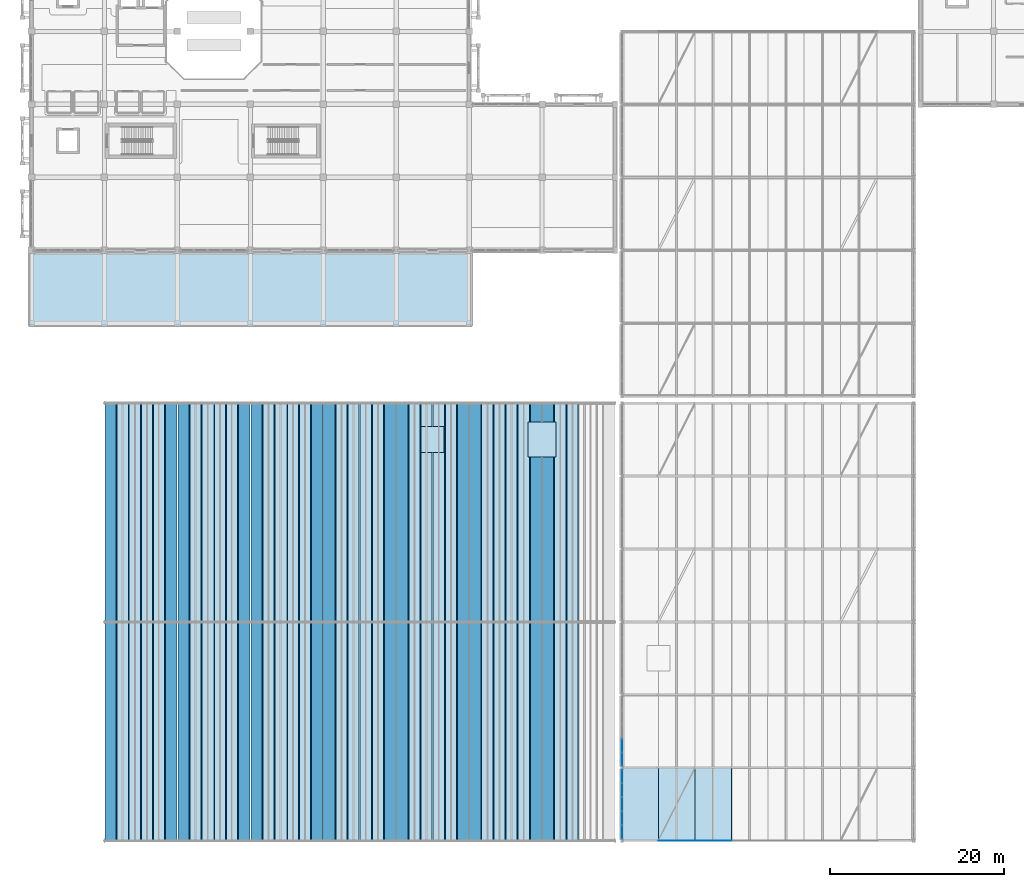
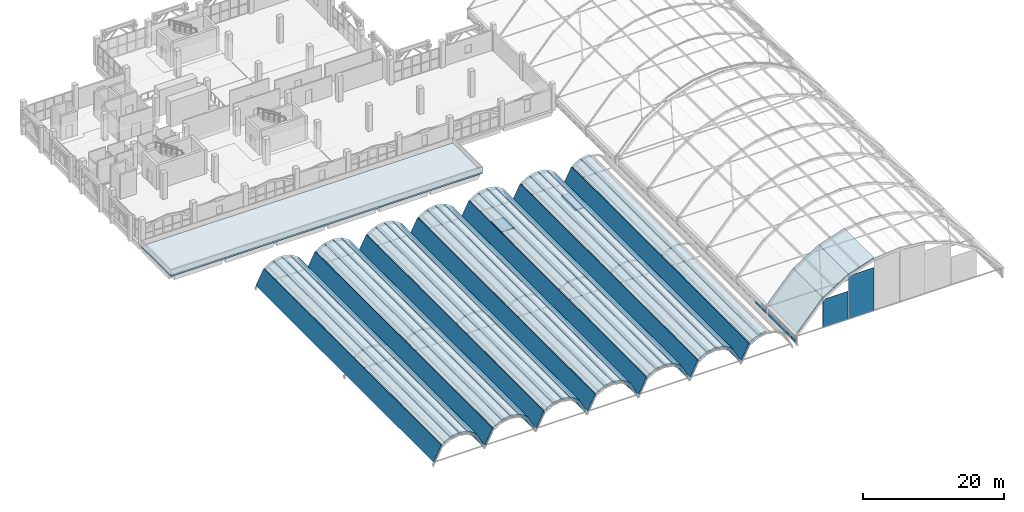
# One storey, part 87 of 114: 45 slabs, 15 plates, 2 elements without a shape of their own.
"""IFC4 building model written with IfcOpenShell, lengths in metres."""

from ifc_helpers import new_model, si_unit, direction, frame, origin, origin_2d, place, context, subcontext, project, spatial, polyline, rectangle, outline, extrude, material, layer, layer_set, type_object, element, aggregate, save


model = new_model("IFC4")

# Units and contexts
model_context = context("Model", 3, precision=1e-05, world=origin(), true_north=direction((0.0, 1.0)))
body_context = subcontext(model_context, "Body", "Model", "MODEL_VIEW")
ifc_project = project(units=[si_unit("LENGTHUNIT", "METRE"), si_unit("AREAUNIT", "SQUARE_METRE"), si_unit("VOLUMEUNIT", "CUBIC_METRE"), si_unit("PLANEANGLEUNIT", "RADIAN"), si_unit("MASSUNIT", "GRAM", prefix="KILO")], contexts=[model_context])

# Site, building, storey
site_placement = place(None, origin())
site = spatial("IfcSite", under=ifc_project, at=site_placement, CompositionType="ELEMENT")
building_placement = place(site_placement, origin())
building = spatial("IfcBuilding", under=site, at=building_placement, Name="Xazarin Passage Department Store", CompositionType="ELEMENT")
storey_placement = place(building_placement, frame((0.0, 0.0, 14.39990234375)))
storey = spatial("IfcBuildingStorey", under=building, at=storey_placement, Name="L03", CompositionType="ELEMENT", Elevation=14.39990234375)

# Curtain wall, plates
ifc_material_1 = material(Name="Bronze anodised aluminium", Category="aluminium")
ifc_layer_1 = layer(ifc_material_1, 0.159912109375)
ifc_layer_set_1 = layer_set([ifc_layer_1], Name="Bronze anodised aluminium")
curtain_wall_type = type_object("IfcCurtainWallType", Name="ARC-CW-ARC1", PredefinedType="NOTDEFINED", material=ifc_layer_set_1)
curtain_wall_1_placement = place(storey_placement, origin())
curtain_wall_1 = element("IfcCurtainWall", 1, at=curtain_wall_1_placement, inside=storey, type_object=curtain_wall_type, Name="L03 V2S Galleria Clerestory Curtain Wall 1W", PredefinedType="NOTDEFINED")
ifc_material_2 = material(Name="Low-E laminated safety glass", Category="glass")
ifc_layer_2 = layer(ifc_material_2, 0.028076171875)
ifc_layer_set_2 = layer_set([ifc_layer_2], Name="Low-E laminated safety glass")
plate_type_1 = type_object("IfcPlateType", Name="ARC-CWP-GLZ28", PredefinedType="CURTAIN_PANEL", material=ifc_layer_set_2)
plate_1_placement = place(storey_placement, frame((68.0, 0.984130859375, 0.065185546875), z_axis=(0.0, 0.0, 1.0), x_axis=(0.0, 1.0, 0.0)))
plate_1 = element("IfcPlate", 2, at=plate_1_placement, type_object=plate_type_1, Name="CW3 panel 1.1", PredefinedType="CURTAIN_PANEL", context=body_context, shape_type="SweptSolid", body=[
    extrude(rectangle(XDim=1.5185546875, YDim=0.028076171875, at=origin_2d()), origin(), (0.0, 0.0, 1.0), 0.5283203125),
])
plate_2_placement = place(storey_placement, frame((68.0, 0.984130859375, 0.658447265625), z_axis=(0.0, 0.0, 1.0), x_axis=(0.0, 1.0, 0.0)))
plate_2 = element("IfcPlate", 3, at=plate_2_placement, type_object=plate_type_1, Name="CW3 panel 1.2", PredefinedType="CURTAIN_PANEL", context=body_context, shape_type="SweptSolid", body=[
    extrude(rectangle(XDim=1.5185546875, YDim=0.028076171875, at=origin_2d()), origin(), (0.0, 0.0, 1.0), 0.5283203125),
])
plate_3_placement = place(storey_placement, frame((68.0, 2.583984375, 0.065185546875), z_axis=(0.0, 0.0, 1.0), x_axis=(0.0, 1.0, 0.0)))
plate_3 = element("IfcPlate", 4, at=plate_3_placement, type_object=plate_type_1, Name="CW3 panel 2.1", PredefinedType="CURTAIN_PANEL", context=body_context, shape_type="SweptSolid", body=[
    extrude(rectangle(XDim=1.551025390625, YDim=0.028076171875, at=origin_2d()), origin(), (0.0, 0.0, 1.0), 0.5283203125),
])
plate_4_placement = place(storey_placement, frame((68.0, 2.583984375, 0.658447265625), z_axis=(0.0, 0.0, 1.0), x_axis=(0.0, 1.0, 0.0)))
plate_4 = element("IfcPlate", 5, at=plate_4_placement, type_object=plate_type_1, Name="CW3 panel 2.2", PredefinedType="CURTAIN_PANEL", context=body_context, shape_type="SweptSolid", body=[
    extrude(rectangle(XDim=1.551025390625, YDim=0.028076171875, at=origin_2d()), origin(), (0.0, 0.0, 1.0), 0.5283203125),
])
plate_5_placement = place(storey_placement, frame((68.0, 4.199951171875, 0.065185546875), z_axis=(0.0, 0.0, 1.0), x_axis=(0.0, 1.0, 0.0)))
plate_5 = element("IfcPlate", 6, at=plate_5_placement, type_object=plate_type_1, Name="CW3 panel 3.1", PredefinedType="CURTAIN_PANEL", context=body_context, shape_type="SweptSolid", body=[
    extrude(rectangle(XDim=1.551025390625, YDim=0.028076171875, at=origin_2d()), origin(), (0.0, 0.0, 1.0), 0.5283203125),
])
plate_6_placement = place(storey_placement, frame((68.0, 4.199951171875, 0.658447265625), z_axis=(0.0, 0.0, 1.0), x_axis=(0.0, 1.0, 0.0)))
plate_6 = element("IfcPlate", 7, at=plate_6_placement, type_object=plate_type_1, Name="CW3 panel 3.2", PredefinedType="CURTAIN_PANEL", context=body_context, shape_type="SweptSolid", body=[
    extrude(rectangle(XDim=1.551025390625, YDim=0.028076171875, at=origin_2d()), origin(), (0.0, 0.0, 1.0), 0.5283203125),
])
plate_7_placement = place(storey_placement, frame((68.0, 5.81591796875, 0.065185546875), z_axis=(0.0, 0.0, 1.0), x_axis=(0.0, 1.0, 0.0)))
plate_7 = element("IfcPlate", 8, at=plate_7_placement, type_object=plate_type_1, Name="CW3 panel 4.1", PredefinedType="CURTAIN_PANEL", context=body_context, shape_type="SweptSolid", body=[
    extrude(rectangle(XDim=1.551025390625, YDim=0.028076171875, at=origin_2d()), origin(), (0.0, 0.0, 1.0), 0.5283203125),
])
plate_8_placement = place(storey_placement, frame((68.0, 5.81591796875, 0.658447265625), z_axis=(0.0, 0.0, 1.0), x_axis=(0.0, 1.0, 0.0)))
plate_8 = element("IfcPlate", 9, at=plate_8_placement, type_object=plate_type_1, Name="CW3 panel 4.2", PredefinedType="CURTAIN_PANEL", context=body_context, shape_type="SweptSolid", body=[
    extrude(rectangle(XDim=1.551025390625, YDim=0.028076171875, at=origin_2d()), origin(), (0.0, 0.0, 1.0), 0.5283203125),
])
plate_9_placement = place(storey_placement, frame((68.0, 7.415771484375, 0.065185546875), z_axis=(0.0, 0.0, 1.0), x_axis=(0.0, 1.0, 0.0)))
plate_9 = element("IfcPlate", 10, at=plate_9_placement, type_object=plate_type_1, Name="CW3 panel 5.1", PredefinedType="CURTAIN_PANEL", context=body_context, shape_type="SweptSolid", body=[
    extrude(rectangle(XDim=1.5185546875, YDim=0.028076171875, at=origin_2d()), origin(), (0.0, 0.0, 1.0), 0.5283203125),
])
plate_10_placement = place(storey_placement, frame((68.0, 7.415771484375, 0.658447265625), z_axis=(0.0, 0.0, 1.0), x_axis=(0.0, 1.0, 0.0)))
plate_10 = element("IfcPlate", 11, at=plate_10_placement, type_object=plate_type_1, Name="CW3 panel 5.2", PredefinedType="CURTAIN_PANEL", context=body_context, shape_type="SweptSolid", body=[
    extrude(rectangle(XDim=1.5185546875, YDim=0.028076171875, at=origin_2d()), origin(), (0.0, 0.0, 1.0), 0.5283203125),
])
aggregate(curtain_wall_1, [plate_1, plate_2, plate_3, plate_4, plate_5, plate_6, plate_7, plate_8, plate_9, plate_10])

curtain_wall_2_placement = place(storey_placement, origin())
curtain_wall_2 = element("IfcCurtainWall", 12, at=curtain_wall_2_placement, inside=storey, type_object=curtain_wall_type, Name="L03 V2S Galleria Clerestory Curtain Wall 2W", PredefinedType="NOTDEFINED")
plate_11_placement = place(storey_placement, frame((68.0, 9.38427734375, 0.065185546875), z_axis=(0.0, 0.0, 1.0), x_axis=(0.0, 1.0, 0.0)))
plate_11 = element("IfcPlate", 13, at=plate_11_placement, type_object=plate_type_1, Name="CW3 panel 1.1", PredefinedType="CURTAIN_PANEL", context=body_context, shape_type="SweptSolid", body=[
    extrude(rectangle(XDim=1.5185546875, YDim=0.028076171875, at=origin_2d()), origin(), (0.0, 0.0, 1.0), 0.5283203125),
])
plate_12_placement = place(storey_placement, frame((68.0, 9.38427734375, 0.658447265625), z_axis=(0.0, 0.0, 1.0), x_axis=(0.0, 1.0, 0.0)))
plate_12 = element("IfcPlate", 14, at=plate_12_placement, type_object=plate_type_1, Name="CW3 panel 1.2", PredefinedType="CURTAIN_PANEL", context=body_context, shape_type="SweptSolid", body=[
    extrude(rectangle(XDim=1.5185546875, YDim=0.028076171875, at=origin_2d()), origin(), (0.0, 0.0, 1.0), 0.5283203125),
])
plate_13_placement = place(storey_placement, frame((68.0, 10.98388671875, 0.065185546875), z_axis=(0.0, 0.0, 1.0), x_axis=(0.0, 1.0, 0.0)))
plate_13 = element("IfcPlate", 15, at=plate_13_placement, type_object=plate_type_1, Name="CW3 panel 2.1", PredefinedType="CURTAIN_PANEL", context=body_context, shape_type="SweptSolid", body=[
    extrude(rectangle(XDim=1.551025390625, YDim=0.028076171875, at=origin_2d()), origin(), (0.0, 0.0, 1.0), 0.5283203125),
])
aggregate(curtain_wall_2, [plate_11, plate_12, plate_13])

# Plates
ifc_layer_3 = layer(ifc_material_2, 0.028076171875)
ifc_layer_set_3 = layer_set([ifc_layer_3], Name="Low-E laminated safety glass")
plate_type_2 = type_object("IfcPlateType", Name="ARC-PLT-VGLZ28", PredefinedType="SHEET", material=ifc_layer_set_3)
plate_14_placement = place(storey_placement, frame((74.300048828125, 0.0, 1.491943359375), z_axis=(0.0, 0.0, 1.0), x_axis=(1.0, 0.0, 0.0)))
element("IfcPlate", 16, at=plate_14_placement, inside=storey, type_object=plate_type_2, Name="V2S Glazed Gable Tympanum Panel 1.2", PredefinedType="SHEET", context=body_context, shape_type="SweptSolid", body=[
    extrude(rectangle(XDim=4.159912109375, YDim=0.031982421875, at=origin_2d()), origin(), (0.0, 0.0, 1.0), 4.8798828125),
])
plate_15_placement = place(storey_placement, frame((78.5, 0.0, 1.49169921875), z_axis=(0.0, 0.0, 1.0), x_axis=(1.0, 0.0, 0.0)))
element("IfcPlate", 17, at=plate_15_placement, inside=storey, type_object=plate_type_2, Name="V2S Glazed Gable Tympanum Panel 1.3", PredefinedType="SHEET", context=body_context, shape_type="SweptSolid", body=[
    extrude(rectangle(XDim=4.159912109375, YDim=0.031982421875, at=origin_2d()), origin(), (0.0, 0.0, 1.0), 7.4990234375),
])

# Slabs
ifc_material_3 = material(Name="Concrete C35/45", Category="concrete")
ifc_layer_4 = layer(ifc_material_3, 0.2099609375)
ifc_layer_set_4 = layer_set([ifc_layer_4], Name="Concrete C35/45")
slab_type_1 = type_object("IfcSlabType", Name="STR-SLB-OVR210", PredefinedType="ROOF", material=ifc_layer_set_4)
slab_1_placement = place(storey_placement, frame((0.0, 0.0, 0.150146484375)))
element("IfcSlab", 18, at=slab_1_placement, inside=storey, type_object=slab_type_1, Name="Lift PL4 Overrun Roof Slab", PredefinedType="ROOF", context=body_context, shape_type="SweptSolid", body=[
    extrude(outline(polyline([(44.8701171875, 44.719970703125), (47.530029296875, 44.719970703125), (47.530029296875, 47.679931640625), (44.8701171875, 47.679931640625), (44.8701171875, 44.719970703125)])), origin(), (0.0, 0.0, 1.0), 0.2099609375),
])
slab_2_placement = place(storey_placement, frame((0.0, 0.0, 0.150146484375)))
element("IfcSlab", 19, at=slab_2_placement, inside=storey, type_object=slab_type_1, Name="Lift GL3 Overrun Roof Slab", PredefinedType="ROOF", context=body_context, shape_type="SweptSolid", body=[
    extrude(outline(polyline([(57.169921875, 44.169921875), (60.429931640625, 44.169921875), (60.429931640625, 48.22998046875), (57.169921875, 48.22998046875), (57.169921875, 44.169921875)])), origin(), (0.0, 0.0, 1.0), 0.2099609375),
])
ifc_layer_5 = layer(ifc_material_3, 0.260009765625)
ifc_layer_set_5 = layer_set([ifc_layer_5], Name="Concrete C35/45")
slab_type_2 = type_object("IfcSlabType", Name="STR-SLB-RF260", PredefinedType="ROOF", material=ifc_layer_set_5)
slab_3_placement = place(storey_placement, frame((0.0, 0.0, -0.260009765625)))
element("IfcSlab", 20, at=slab_3_placement, inside=storey, type_object=slab_type_2, Name="L03 V1 Setback Roof Slab 1", PredefinedType="ROOF", context=body_context, shape_type="SweptSolid", body=[
    extrude(outline(polyline([(50.699951171875, 67.64990234375), (-0.300048828125, 67.64990234375), (-0.300048828125, 59.300048828125), (50.699951171875, 59.300048828125), (50.699951171875, 67.64990234375)])), origin(), (0.0, 0.0, 1.0), 0.260009765625),
])
ifc_material_4 = material(Name="Concrete C40/50", Category="concrete")
ifc_layer_6 = layer(ifc_material_4, 0.239990234375)
ifc_layer_set_6 = layer_set([ifc_layer_6], Name="Concrete C40/50")
slab_type_3 = type_object("IfcSlabType", Name="STR-SLB-SHL240", PredefinedType="ROOF", material=ifc_layer_set_6)
slab_4_placement = place(storey_placement, frame((68.0, 0.0, 2.08251953125), z_axis=(-0.74425861336, 0.0, 0.667891545417), x_axis=(0.667891545417, 0.0, 0.74425861336)))
element("IfcSlab", 21, at=slab_4_placement, inside=storey, type_object=slab_type_3, Name="V2S Vaulted Roof Deck Facet 1.1", PredefinedType="ROOF", context=body_context, shape_type="SweptSolid", body=[
    extrude(outline(polyline([(0.0, 0.0), (6.28837301609353, 0.0), (6.28837301609353, 8.39990234375), (0.0, 8.39990234375), (0.0, 0.0)])), origin(), (0.0, 0.0, -1.0), 0.159912109375),
])
slab_5_placement = place(storey_placement, frame((72.199951171875, 0.0, 6.72265625), z_axis=(-0.529080815848, 0.0, 0.848571440894), x_axis=(0.848571440894, 0.0, 0.529080815848)))
element("IfcSlab", 22, at=slab_5_placement, inside=storey, type_object=slab_type_3, Name="V2S Vaulted Roof Deck Facet 1.2", PredefinedType="ROOF", context=body_context, shape_type="SweptSolid", body=[
    extrude(outline(polyline([(0.0, 0.0), (4.949437336057661, 0.0), (4.949437336057661, 8.39990234375), (0.0, 8.39990234375), (0.0, 0.0)])), origin(), (0.0, 0.0, -1.0), 0.159912109375),
])
slab_6_placement = place(storey_placement, frame((76.39990234375, 0.0, 9.3212890625), z_axis=(-0.316938846257, 0.0, 0.948445975126), x_axis=(0.948445975126, 0.0, 0.316938846257)))
element("IfcSlab", 23, at=slab_6_placement, inside=storey, type_object=slab_type_3, Name="V2S Vaulted Roof Deck Facet 1.3", PredefinedType="ROOF", context=body_context, shape_type="SweptSolid", body=[
    extrude(outline(polyline([(0.0, 0.0), (4.4285024373057595, 0.0), (4.4285024373057595, 8.39990234375), (0.0, 8.39990234375), (0.0, 0.0)])), origin(), (0.0, 0.0, -1.0), 0.159912109375),
])
slab_7_placement = place(storey_placement, frame((8.4560546875, 0.0, 0.524658203125), z_axis=(-0.890351502273, 0.0, 0.45527376643), x_axis=(0.45527376643, 0.0, 0.890351502273)))
element("IfcSlab", 24, at=slab_7_placement, inside=storey, type_object=slab_type_3, Name="L03 V3 Curved Barrel Shell Facet 1.1", PredefinedType="ROOF", context=body_context, shape_type="SweptSolid", body=[
    extrude(outline(polyline([(0.0, 0.0), (2.828719535002799, 0.0), (2.828719535002799, 50.39990234375), (0.0, 50.39990234375), (0.0, 0.0)])), origin(), (0.0, 0.0, -1.0), 0.239990234375),
])
slab_8_placement = place(storey_placement, frame((9.85595703125, 0.0, 3.185546875), z_axis=(-0.507077239336, 0.0, 0.861900616862), x_axis=(0.861900616862, 0.0, 0.507077239336)))
element("IfcSlab", 25, at=slab_8_placement, inside=storey, type_object=slab_type_3, Name="L03 V3 Curved Barrel Shell Facet 1.2", PredefinedType="ROOF", context=body_context, shape_type="SweptSolid", body=[
    extrude(outline(polyline([(0.0, 0.0), (1.494471534537043, 0.0), (1.494471534537043, 50.39990234375), (0.0, 50.39990234375), (0.0, 0.0)])), origin(), (0.0, 0.0, -1.0), 0.239990234375),
])
slab_9_placement = place(storey_placement, frame((11.256103515625, 0.0, 3.98583984375), z_axis=(-0.168185742251, 0.0, 0.985755322635), x_axis=(0.985755322635, 0.0, 0.168185742251)))
element("IfcSlab", 26, at=slab_9_placement, inside=storey, type_object=slab_type_3, Name="L03 V3 Curved Barrel Shell Facet 1.3", PredefinedType="ROOF", context=body_context, shape_type="SweptSolid", body=[
    extrude(outline(polyline([(0.0, 0.0), (1.3064517809878387, 0.0), (1.3064517809878387, 50.39990234375), (0.0, 50.39990234375), (0.0, 0.0)])), origin(), (0.0, 0.0, -1.0), 0.239990234375),
])
slab_10_placement = place(storey_placement, frame((12.656005859375, 0.0, 4.20556640625), z_axis=(0.168154766193, 0.0, 0.985760607149), x_axis=(0.985760607149, 0.0, -0.168154766193)))
element("IfcSlab", 27, at=slab_10_placement, inside=storey, type_object=slab_type_3, Name="L03 V3 Curved Barrel Shell Facet 1.4", PredefinedType="ROOF", context=body_context, shape_type="SweptSolid", body=[
    extrude(outline(polyline([(0.0, 0.0), (1.3066924445535453, 0.0), (1.3066924445535453, 50.39990234375), (0.0, 50.39990234375), (0.0, 0.0)])), origin(), (0.0, 0.0, -1.0), 0.239990234375),
])
slab_11_placement = place(storey_placement, frame((14.055908203125, 0.0, 3.943359375), z_axis=(0.507077239336, 0.0, 0.861900616862), x_axis=(0.861900616862, 0.0, -0.507077239336)))
element("IfcSlab", 28, at=slab_11_placement, inside=storey, type_object=slab_type_3, Name="L03 V3 Curved Barrel Shell Facet 1.5", PredefinedType="ROOF", context=body_context, shape_type="SweptSolid", body=[
    extrude(outline(polyline([(0.0, 0.0), (1.494471534537043, 0.0), (1.494471534537043, 50.39990234375), (0.0, 50.39990234375), (0.0, 0.0)])), origin(), (0.0, 0.0, -1.0), 0.239990234375),
])
slab_12_placement = place(storey_placement, frame((15.4560546875, 0.0, 3.043212890625), z_axis=(0.890351502273, 0.0, 0.45527376643), x_axis=(0.45527376643, 0.0, -0.890351502273)))
element("IfcSlab", 29, at=slab_12_placement, inside=storey, type_object=slab_type_3, Name="L03 V3 Curved Barrel Shell Facet 1.6", PredefinedType="ROOF", context=body_context, shape_type="SweptSolid", body=[
    extrude(outline(polyline([(0.0, 0.0), (2.828719535002799, 0.0), (2.828719535002799, 50.39990234375), (0.0, 50.39990234375), (0.0, 0.0)])), origin(), (0.0, 0.0, -1.0), 0.239990234375),
])
slab_13_placement = place(storey_placement, frame((16.85595703125, 0.0, 0.524658203125), z_axis=(-0.890316515826, 0.0, 0.455342180835), x_axis=(0.455342180835, 0.0, 0.890316515826)))
element("IfcSlab", 30, at=slab_13_placement, inside=storey, type_object=slab_type_3, Name="L03 V3 Curved Barrel Shell Facet 2.1", PredefinedType="ROOF", context=body_context, shape_type="SweptSolid", body=[
    extrude(outline(polyline([(0.0, 0.0), (2.8288306941762134, 0.0), (2.8288306941762134, 50.399902343750014), (0.0, 50.399902343750014), (0.0, 0.0)])), origin(), (0.0, 0.0, -1.0), 0.239990234375),
])
slab_14_placement = place(storey_placement, frame((18.256103515625, 0.0, 3.185546875), z_axis=(-0.507148645267, 0.0, 0.861858603023), x_axis=(0.861858603023, 0.0, 0.507148645267)))
element("IfcSlab", 31, at=slab_14_placement, inside=storey, type_object=slab_type_3, Name="L03 V3 Curved Barrel Shell Facet 2.2", PredefinedType="ROOF", context=body_context, shape_type="SweptSolid", body=[
    extrude(outline(polyline([(0.0, 0.0), (1.4942611147100358, 0.0), (1.4942611147100358, 50.39990234375), (0.0, 50.39990234375), (0.0, 0.0)])), origin(), (0.0, 0.0, -1.0), 0.239990234375),
])
for number, where, z_axis, x_axis, name in (
    (32, (19.656005859375, 0.0, 3.98583984375), (-0.168154766193, 0.0, 0.985760607149), (0.985760607149, 0.0, 0.168154766193), "L03 V3 Curved Barrel Shell Facet 2.3"),
    (33, (21.055908203125, 0.0, 4.20556640625), (0.168154766193, 0.0, 0.985760607149), (0.985760607149, 0.0, -0.168154766193), "L03 V3 Curved Barrel Shell Facet 2.4"),
):
    element("IfcSlab", number, at=place(storey_placement, frame(where, z_axis=z_axis, x_axis=x_axis)), inside=storey, type_object=slab_type_3, Name=name, PredefinedType="ROOF", context=body_context, shape_type="SweptSolid", body=[
        extrude(outline(polyline([(0.0, 0.0), (1.3066924445535453, 0.0), (1.3066924445535453, 50.39990234375), (0.0, 50.39990234375), (0.0, 0.0)])), origin(), (0.0, 0.0, -1.0), 0.239990234375),
    ])
slab_15_placement = place(storey_placement, frame((22.4560546875, 0.0, 3.943359375), z_axis=(0.507148645267, 0.0, 0.861858603023), x_axis=(0.861858603023, 0.0, -0.507148645267)))
element("IfcSlab", 34, at=slab_15_placement, inside=storey, type_object=slab_type_3, Name="L03 V3 Curved Barrel Shell Facet 2.5", PredefinedType="ROOF", context=body_context, shape_type="SweptSolid", body=[
    extrude(outline(polyline([(0.0, 0.0), (1.4942611147100358, 0.0), (1.4942611147100358, 50.39990234375), (0.0, 50.39990234375), (0.0, 0.0)])), origin(), (0.0, 0.0, -1.0), 0.239990234375),
])
slab_16_placement = place(storey_placement, frame((23.85595703125, 0.0, 3.043212890625), z_axis=(0.890316515826, 0.0, 0.455342180835), x_axis=(0.455342180835, 0.0, -0.890316515826)))
element("IfcSlab", 35, at=slab_16_placement, inside=storey, type_object=slab_type_3, Name="L03 V3 Curved Barrel Shell Facet 2.6", PredefinedType="ROOF", context=body_context, shape_type="SweptSolid", body=[
    extrude(outline(polyline([(0.0, 0.0), (2.8288306941762134, 0.0), (2.8288306941762134, 50.399902343750014), (0.0, 50.399902343750014), (0.0, 0.0)])), origin(), (0.0, 0.0, -1.0), 0.239990234375),
])
slab_17_placement = place(storey_placement, frame((25.256103515625, 0.0, 0.524658203125), z_axis=(-0.890351502273, 0.0, 0.45527376643), x_axis=(0.45527376643, 0.0, 0.890351502273)))
element("IfcSlab", 36, at=slab_17_placement, inside=storey, type_object=slab_type_3, Name="L03 V3 Curved Barrel Shell Facet 3.1", PredefinedType="ROOF", context=body_context, shape_type="SweptSolid", body=[
    extrude(outline(polyline([(0.0, 0.0), (2.828719535002799, 0.0), (2.828719535002799, 50.39990234375), (0.0, 50.39990234375), (0.0, 0.0)])), origin(), (0.0, 0.0, -1.0), 0.239990234375),
])
slab_18_placement = place(storey_placement, frame((26.656005859375, 0.0, 3.185546875), z_axis=(-0.507077239336, 0.0, 0.861900616862), x_axis=(0.861900616862, 0.0, 0.507077239336)))
element("IfcSlab", 37, at=slab_18_placement, inside=storey, type_object=slab_type_3, Name="L03 V3 Curved Barrel Shell Facet 3.2", PredefinedType="ROOF", context=body_context, shape_type="SweptSolid", body=[
    extrude(outline(polyline([(0.0, 0.0), (1.494471534537043, 0.0), (1.494471534537043, 50.39990234375), (0.0, 50.39990234375), (0.0, 0.0)])), origin(), (0.0, 0.0, -1.0), 0.239990234375),
])
slab_19_placement = place(storey_placement, frame((28.055908203125, 0.0, 3.98583984375), z_axis=(-0.168154766193, 0.0, 0.985760607149), x_axis=(0.985760607149, 0.0, 0.168154766193)))
element("IfcSlab", 38, at=slab_19_placement, inside=storey, type_object=slab_type_3, Name="L03 V3 Curved Barrel Shell Facet 3.3", PredefinedType="ROOF", context=body_context, shape_type="SweptSolid", body=[
    extrude(outline(polyline([(0.0, 0.0), (1.3066924445535453, 0.0), (1.3066924445535453, 50.39990234375), (0.0, 50.39990234375), (0.0, 0.0)])), origin(), (0.0, 0.0, -1.0), 0.239990234375),
])
slab_20_placement = place(storey_placement, frame((29.4560546875, 0.0, 4.20556640625), z_axis=(0.168185742251, 0.0, 0.985755322635), x_axis=(0.985755322635, 0.0, -0.168185742251)))
element("IfcSlab", 39, at=slab_20_placement, inside=storey, type_object=slab_type_3, Name="L03 V3 Curved Barrel Shell Facet 3.4", PredefinedType="ROOF", context=body_context, shape_type="SweptSolid", body=[
    extrude(outline(polyline([(0.0, 0.0), (1.3064517809878387, 0.0), (1.3064517809878387, 50.39990234375), (0.0, 50.39990234375), (0.0, 0.0)])), origin(), (0.0, 0.0, -1.0), 0.239990234375),
])
slab_21_placement = place(storey_placement, frame((30.85595703125, 0.0, 3.943359375), z_axis=(0.507077239336, 0.0, 0.861900616862), x_axis=(0.861900616862, 0.0, -0.507077239336)))
element("IfcSlab", 40, at=slab_21_placement, inside=storey, type_object=slab_type_3, Name="L03 V3 Curved Barrel Shell Facet 3.5", PredefinedType="ROOF", context=body_context, shape_type="SweptSolid", body=[
    extrude(outline(polyline([(0.0, 0.0), (1.494471534537043, 0.0), (1.494471534537043, 50.39990234375), (0.0, 50.39990234375), (0.0, 0.0)])), origin(), (0.0, 0.0, -1.0), 0.239990234375),
])
slab_22_placement = place(storey_placement, frame((32.256103515625, 0.0, 3.043212890625), z_axis=(0.890351502273, 0.0, 0.45527376643), x_axis=(0.45527376643, 0.0, -0.890351502273)))
element("IfcSlab", 41, at=slab_22_placement, inside=storey, type_object=slab_type_3, Name="L03 V3 Curved Barrel Shell Facet 3.6", PredefinedType="ROOF", context=body_context, shape_type="SweptSolid", body=[
    extrude(outline(polyline([(0.0, 0.0), (2.828719535002799, 0.0), (2.828719535002799, 50.39990234375), (0.0, 50.39990234375), (0.0, 0.0)])), origin(), (0.0, 0.0, -1.0), 0.239990234375),
])
slab_23_placement = place(storey_placement, frame((33.656005859375, 0.0, 0.524658203125), z_axis=(-0.890316515826, 0.0, 0.455342180835), x_axis=(0.455342180835, 0.0, 0.890316515826)))
element("IfcSlab", 42, at=slab_23_placement, inside=storey, type_object=slab_type_3, Name="L03 V3 Curved Barrel Shell Facet 4.1", PredefinedType="ROOF", context=body_context, shape_type="SweptSolid", body=[
    extrude(outline(polyline([(0.0, 0.0), (2.8288306941762134, 0.0), (2.8288306941762134, 50.399902343750014), (0.0, 50.399902343750014), (0.0, 0.0)])), origin(), (0.0, 0.0, -1.0), 0.239990234375),
])
slab_24_placement = place(storey_placement, frame((35.055908203125, 0.0, 3.185546875), z_axis=(-0.507077239336, 0.0, 0.861900616862), x_axis=(0.861900616862, 0.0, 0.507077239336)))
element("IfcSlab", 43, at=slab_24_placement, inside=storey, type_object=slab_type_3, Name="L03 V3 Curved Barrel Shell Facet 4.2", PredefinedType="ROOF", context=body_context, shape_type="SweptSolid", body=[
    extrude(outline(polyline([(0.0, 0.0), (1.494471534537043, 0.0), (1.494471534537043, 50.39990234375), (0.0, 50.39990234375), (0.0, 0.0)])), origin(), (0.0, 0.0, -1.0), 0.239990234375),
])
slab_25_placement = place(storey_placement, frame((36.4560546875, 0.0, 3.98583984375), z_axis=(-0.168185742251, 0.0, 0.985755322635), x_axis=(0.985755322635, 0.0, 0.168185742251)))
element("IfcSlab", 44, at=slab_25_placement, inside=storey, type_object=slab_type_3, Name="L03 V3 Curved Barrel Shell Facet 4.3", PredefinedType="ROOF", context=body_context, shape_type="SweptSolid", body=[
    extrude(outline(polyline([(0.0, 0.0), (1.3064517809878387, 0.0), (1.3064517809878387, 50.39990234375), (0.0, 50.39990234375), (0.0, 0.0)])), origin(), (0.0, 0.0, -1.0), 0.239990234375),
])
slab_26_placement = place(storey_placement, frame((37.85595703125, 0.0, 4.20556640625), z_axis=(0.168154766193, 0.0, 0.985760607149), x_axis=(0.985760607149, 0.0, -0.168154766193)))
element("IfcSlab", 45, at=slab_26_placement, inside=storey, type_object=slab_type_3, Name="L03 V3 Curved Barrel Shell Facet 4.4", PredefinedType="ROOF", context=body_context, shape_type="SweptSolid", body=[
    extrude(outline(polyline([(0.0, 0.0), (1.3066924445535453, 0.0), (1.3066924445535453, 50.39990234375), (0.0, 50.39990234375), (0.0, 0.0)])), origin(), (0.0, 0.0, -1.0), 0.239990234375),
])
slab_27_placement = place(storey_placement, frame((39.256103515625, 0.0, 3.943359375), z_axis=(0.507148645267, 0.0, 0.861858603023), x_axis=(0.861858603023, 0.0, -0.507148645267)))
element("IfcSlab", 46, at=slab_27_placement, inside=storey, type_object=slab_type_3, Name="L03 V3 Curved Barrel Shell Facet 4.5", PredefinedType="ROOF", context=body_context, shape_type="SweptSolid", body=[
    extrude(outline(polyline([(0.0, 0.0), (1.4942611147100358, 0.0), (1.4942611147100358, 50.39990234375), (0.0, 50.39990234375), (0.0, 0.0)])), origin(), (0.0, 0.0, -1.0), 0.239990234375),
])
for number, where, z_axis, x_axis, name in (
    (47, (40.656005859375, 0.0, 3.043212890625), (0.890316515826, 0.0, 0.455342180835), (0.455342180835, 0.0, -0.890316515826), "L03 V3 Curved Barrel Shell Facet 4.6"),
    (48, (42.055908203125, 0.0, 0.524658203125), (-0.890316515826, 0.0, 0.455342180835), (0.455342180835, 0.0, 0.890316515826), "L03 V3 Curved Barrel Shell Facet 5.1"),
):
    element("IfcSlab", number, at=place(storey_placement, frame(where, z_axis=z_axis, x_axis=x_axis)), inside=storey, type_object=slab_type_3, Name=name, PredefinedType="ROOF", context=body_context, shape_type="SweptSolid", body=[
        extrude(outline(polyline([(0.0, 0.0), (2.8288306941762134, 0.0), (2.8288306941762134, 50.399902343750014), (0.0, 50.399902343750014), (0.0, 0.0)])), origin(), (0.0, 0.0, -1.0), 0.239990234375),
    ])
slab_28_placement = place(storey_placement, frame((43.4560546875, 0.0, 3.185546875), z_axis=(-0.507148645267, 0.0, 0.861858603023), x_axis=(0.861858603023, 0.0, 0.507148645267)))
element("IfcSlab", 49, at=slab_28_placement, inside=storey, type_object=slab_type_3, Name="L03 V3 Curved Barrel Shell Facet 5.2", PredefinedType="ROOF", context=body_context, shape_type="SweptSolid", body=[
    extrude(outline(polyline([(0.0, 0.0), (1.4942611147100358, 0.0), (1.4942611147100358, 50.39990234375), (0.0, 50.39990234375), (0.0, 0.0)])), origin(), (0.0, 0.0, -1.0), 0.239990234375),
])
slab_29_placement = place(storey_placement, frame((44.85595703125, 0.0, 3.98583984375), z_axis=(-0.168154766193, 0.0, 0.985760607149), x_axis=(0.985760607149, 0.0, 0.168154766193)))
element("IfcSlab", 50, at=slab_29_placement, inside=storey, type_object=slab_type_3, Name="L03 V3 Curved Barrel Shell Facet 5.3", PredefinedType="ROOF", context=body_context, shape_type="SweptSolid", body=[
    extrude(outline(polyline([(0.0, 0.0), (1.3066924445535453, 0.0), (1.3066924445535453, 50.39990234375), (0.0, 50.39990234375), (0.0, 0.0)])), origin(), (0.0, 0.0, -1.0), 0.239990234375),
])
slab_30_placement = place(storey_placement, frame((46.256103515625, 0.0, 4.20556640625), z_axis=(0.168185742251, 0.0, 0.985755322635), x_axis=(0.985755322635, 0.0, -0.168185742251)))
element("IfcSlab", 51, at=slab_30_placement, inside=storey, type_object=slab_type_3, Name="L03 V3 Curved Barrel Shell Facet 5.4", PredefinedType="ROOF", context=body_context, shape_type="SweptSolid", body=[
    extrude(outline(polyline([(0.0, 0.0), (1.3064517809878387, 0.0), (1.3064517809878387, 50.39990234375), (0.0, 50.39990234375), (0.0, 0.0)])), origin(), (0.0, 0.0, -1.0), 0.239990234375),
])
slab_31_placement = place(storey_placement, frame((47.656005859375, 0.0, 3.943359375), z_axis=(0.507077239336, 0.0, 0.861900616862), x_axis=(0.861900616862, 0.0, -0.507077239336)))
element("IfcSlab", 52, at=slab_31_placement, inside=storey, type_object=slab_type_3, Name="L03 V3 Curved Barrel Shell Facet 5.5", PredefinedType="ROOF", context=body_context, shape_type="SweptSolid", body=[
    extrude(outline(polyline([(0.0, 0.0), (1.494471534537043, 0.0), (1.494471534537043, 50.39990234375), (0.0, 50.39990234375), (0.0, 0.0)])), origin(), (0.0, 0.0, -1.0), 0.239990234375),
])
slab_32_placement = place(storey_placement, frame((49.055908203125, 0.0, 3.043212890625), z_axis=(0.890316515826, 0.0, 0.455342180835), x_axis=(0.455342180835, 0.0, -0.890316515826)))
element("IfcSlab", 53, at=slab_32_placement, inside=storey, type_object=slab_type_3, Name="L03 V3 Curved Barrel Shell Facet 5.6", PredefinedType="ROOF", context=body_context, shape_type="SweptSolid", body=[
    extrude(outline(polyline([(0.0, 0.0), (2.8288306941762134, 0.0), (2.8288306941762134, 50.399902343750014), (0.0, 50.399902343750014), (0.0, 0.0)])), origin(), (0.0, 0.0, -1.0), 0.239990234375),
])
slab_33_placement = place(storey_placement, frame((50.4560546875, 0.0, 0.524658203125), z_axis=(-0.890351502273, 0.0, 0.45527376643), x_axis=(0.45527376643, 0.0, 0.890351502273)))
element("IfcSlab", 54, at=slab_33_placement, inside=storey, type_object=slab_type_3, Name="L03 V3 Curved Barrel Shell Facet 6.1", PredefinedType="ROOF", context=body_context, shape_type="SweptSolid", body=[
    extrude(outline(polyline([(0.0, 0.0), (2.828719535002799, 0.0), (2.828719535002799, 50.39990234375), (0.0, 50.39990234375), (0.0, 0.0)])), origin(), (0.0, 0.0, -1.0), 0.239990234375),
])
slab_34_placement = place(storey_placement, frame((51.85595703125, 0.0, 3.185546875), z_axis=(-0.507077239336, 0.0, 0.861900616862), x_axis=(0.861900616862, 0.0, 0.507077239336)))
element("IfcSlab", 55, at=slab_34_placement, inside=storey, type_object=slab_type_3, Name="L03 V3 Curved Barrel Shell Facet 6.2", PredefinedType="ROOF", context=body_context, shape_type="SweptSolid", body=[
    extrude(outline(polyline([(0.0, 0.0), (1.494471534537043, 0.0), (1.494471534537043, 50.39990234375), (0.0, 50.39990234375), (0.0, 0.0)])), origin(), (0.0, 0.0, -1.0), 0.239990234375),
])
slab_35_placement = place(storey_placement, frame((53.256103515625, 0.0, 3.98583984375), z_axis=(-0.168185742251, 0.0, 0.985755322635), x_axis=(0.985755322635, 0.0, 0.168185742251)))
element("IfcSlab", 56, at=slab_35_placement, inside=storey, type_object=slab_type_3, Name="L03 V3 Curved Barrel Shell Facet 6.3", PredefinedType="ROOF", context=body_context, shape_type="SweptSolid", body=[
    extrude(outline(polyline([(0.0, 0.0), (1.3064517809878387, 0.0), (1.3064517809878387, 50.39990234375), (0.0, 50.39990234375), (0.0, 0.0)])), origin(), (0.0, 0.0, -1.0), 0.239990234375),
])
slab_36_placement = place(storey_placement, frame((54.656005859375, 0.0, 4.20556640625), z_axis=(0.168154766193, 0.0, 0.985760607149), x_axis=(0.985760607149, 0.0, -0.168154766193)))
element("IfcSlab", 57, at=slab_36_placement, inside=storey, type_object=slab_type_3, Name="L03 V3 Curved Barrel Shell Facet 6.4", PredefinedType="ROOF", context=body_context, shape_type="SweptSolid", body=[
    extrude(outline(polyline([(0.0, 0.0), (1.3066924445535453, 0.0), (1.3066924445535453, 50.39990234375), (0.0, 50.39990234375), (0.0, 0.0)])), origin(), (0.0, 0.0, -1.0), 0.239990234375),
])
slab_37_placement = place(storey_placement, frame((56.055908203125, 0.0, 3.943359375), z_axis=(0.507077239336, 0.0, 0.861900616862), x_axis=(0.861900616862, 0.0, -0.507077239336)))
element("IfcSlab", 58, at=slab_37_placement, inside=storey, type_object=slab_type_3, Name="L03 V3 Curved Barrel Shell Facet 6.5", PredefinedType="ROOF", context=body_context, shape_type="SweptSolid", body=[
    extrude(outline(polyline([(0.0, 0.0), (1.494471534537043, 0.0), (1.494471534537043, 50.39990234375), (0.0, 50.39990234375), (0.0, 0.0)])), origin(), (0.0, 0.0, -1.0), 0.239990234375),
])
slab_38_placement = place(storey_placement, frame((57.4560546875, 0.0, 3.043212890625), z_axis=(0.890351502273, 0.0, 0.45527376643), x_axis=(0.45527376643, 0.0, -0.890351502273)))
element("IfcSlab", 59, at=slab_38_placement, inside=storey, type_object=slab_type_3, Name="L03 V3 Curved Barrel Shell Facet 6.6", PredefinedType="ROOF", context=body_context, shape_type="SweptSolid", body=[
    extrude(outline(polyline([(0.0, 0.0), (2.828719535002799, 0.0), (2.828719535002799, 50.39990234375), (0.0, 50.39990234375), (0.0, 0.0)])), origin(), (0.0, 0.0, -1.0), 0.239990234375),
])
slab_39_placement = place(storey_placement, frame((58.85595703125, 0.0, 0.524658203125), z_axis=(-0.890316515826, 0.0, 0.455342180835), x_axis=(0.455342180835, 0.0, 0.890316515826)))
element("IfcSlab", 60, at=slab_39_placement, inside=storey, type_object=slab_type_3, Name="L03 V3 Curved Barrel Shell Facet 7.1", PredefinedType="ROOF", context=body_context, shape_type="SweptSolid", body=[
    extrude(outline(polyline([(0.0, 0.0), (2.8288306941762134, 0.0), (2.8288306941762134, 50.399902343750014), (0.0, 50.399902343750014), (0.0, 0.0)])), origin(), (0.0, 0.0, -1.0), 0.239990234375),
])
slab_40_placement = place(storey_placement, frame((60.256103515625, 0.0, 3.185546875), z_axis=(-0.507148645267, 0.0, 0.861858603023), x_axis=(0.861858603023, 0.0, 0.507148645267)))
element("IfcSlab", 61, at=slab_40_placement, inside=storey, type_object=slab_type_3, Name="L03 V3 Curved Barrel Shell Facet 7.2", PredefinedType="ROOF", context=body_context, shape_type="SweptSolid", body=[
    extrude(outline(polyline([(0.0, 0.0), (1.4942611147100358, 0.0), (1.4942611147100358, 50.39990234375), (0.0, 50.39990234375), (0.0, 0.0)])), origin(), (0.0, 0.0, -1.0), 0.239990234375),
])
slab_41_placement = place(storey_placement, frame((61.656005859375, 0.0, 3.98583984375), z_axis=(-0.168154766193, 0.0, 0.985760607149), x_axis=(0.985760607149, 0.0, 0.168154766193)))
element("IfcSlab", 62, at=slab_41_placement, inside=storey, type_object=slab_type_3, Name="L03 V3 Curved Barrel Shell Facet 7.3", PredefinedType="ROOF", context=body_context, shape_type="SweptSolid", body=[
    extrude(outline(polyline([(0.0, 0.0), (1.3066924445535453, 0.0), (1.3066924445535453, 50.39990234375), (0.0, 50.39990234375), (0.0, 0.0)])), origin(), (0.0, 0.0, -1.0), 0.239990234375),
])

save(model, "model.ifc")
